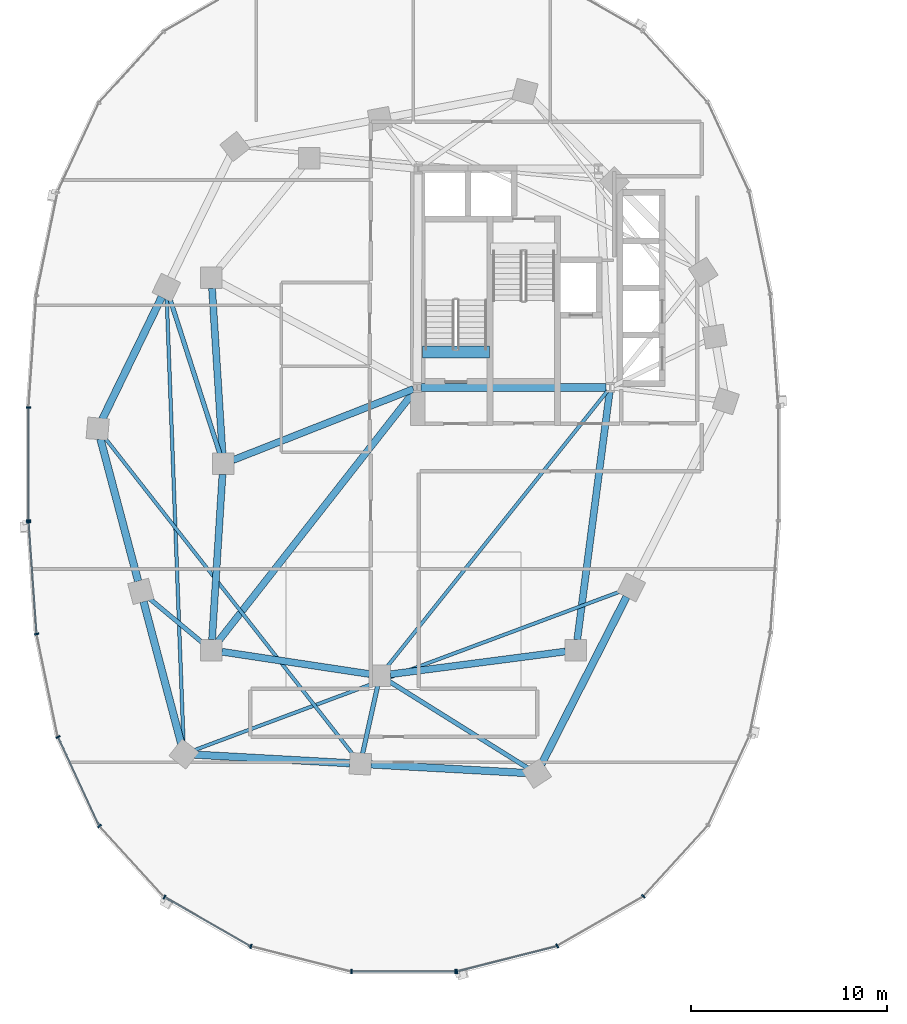
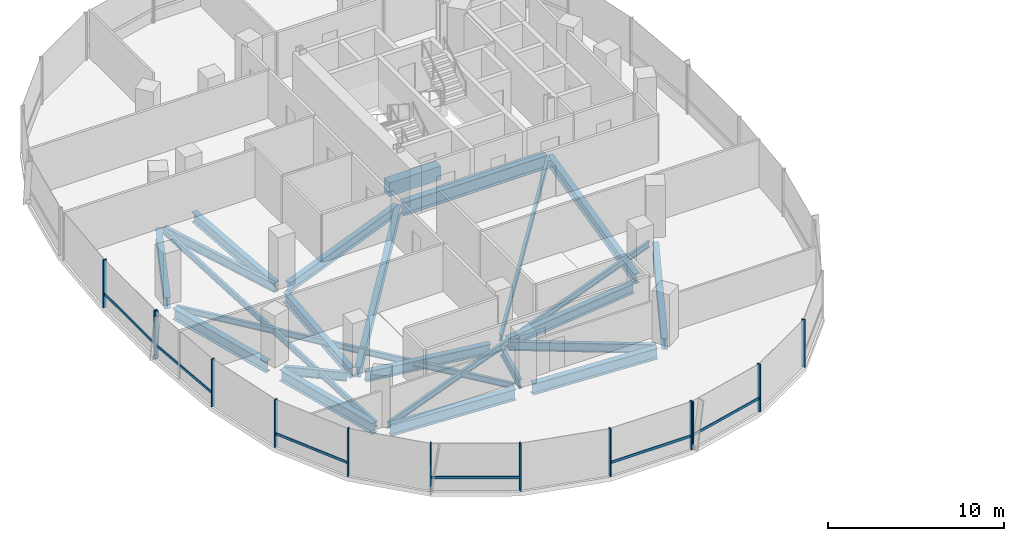
# One storey, part 2 of 21: 23 beams, 19 members, 3 elements without a shape of their own.
"""IFC4 building model written with IfcOpenShell, lengths in metres."""

from ifc_helpers import new_model, si_unit, direction, frame, origin, origin_2d, place, context, subcontext, project, spatial, rectangle, i_section, extrude, material, material_profile, profile_set, type_object, element, aggregate, save


model = new_model("IFC4")

# Units and contexts
model_context = context("Model", 3, precision=1e-05, world=origin(), true_north=direction((0.0, 1.0)))
body_context = subcontext(model_context, "Body", "Model", "MODEL_VIEW")
ifc_project = project(units=[si_unit("LENGTHUNIT", "METRE"), si_unit("AREAUNIT", "SQUARE_METRE"), si_unit("VOLUMEUNIT", "CUBIC_METRE"), si_unit("PLANEANGLEUNIT", "RADIAN"), si_unit("MASSUNIT", "GRAM", prefix="KILO"), si_unit("THERMODYNAMICTEMPERATUREUNIT", "KELVIN"), si_unit("POWERUNIT", "WATT")], contexts=[model_context])

# Site, building, storey
site_placement = place(None, origin())
site = spatial("IfcSite", under=ifc_project, at=site_placement, CompositionType="ELEMENT")
building_placement = place(site_placement, origin())
building = spatial("IfcBuilding", under=site, at=building_placement, Name="Cundina Bronze Exchange", CompositionType="ELEMENT")
storey_placement = place(building_placement, frame((0.0, 0.0, 114.199951171875)))
storey = spatial("IfcBuildingStorey", under=building, at=storey_placement, Name="L29", CompositionType="ELEMENT", Elevation=114.199951171875)

# Beams
ifc_material_1 = material(Name="Concrete C60/75", Category="concrete")
ifc_material_profile_1 = material_profile(ifc_material_1, rectangle(XDim=0.60009765625, YDim=0.949951171875, at=origin_2d()), Name="RC600X950", Category="concrete")
ifc_profile_set_1 = profile_set([ifc_material_profile_1], Name="Concrete C60/75")
beam_type_1 = type_object("IfcBeamType", Name="BM-COUP-RC950", PredefinedType="LINTEL", material=ifc_profile_set_1)
beam_1_placement = place(storey_placement, frame((-31.02001953125, 5.719970703125, -0.474853515625), z_axis=(1.0, 0.0, 0.0), x_axis=(0.0, 1.0, 0.0)))
element("IfcBeam", 1, at=beam_1_placement, inside=storey, type_object=beam_type_1, Name="L29 Stair W1 Landing Header Beam", PredefinedType="LINTEL", context=body_context, shape_type="SweptSolid", body=[
    extrude(rectangle(XDim=0.60009765625, YDim=0.949951171875, at=origin_2d()), origin(), (0.0, 0.0, 1.0), 3.39990234375),
])
ifc_material_2 = material(Name="Steel ASTM A992 Grade 50", Category="steel")
ifc_material_profile_2 = material_profile(ifc_material_2, i_section(OverallWidth=0.22998046875, OverallDepth=0.616943359375, WebThickness=0.01318359375, FlangeThickness=0.022216796875, FilletRadius=0.013916015625, at=origin_2d()), Name="W24X94", Category="steel")
ifc_profile_set_2 = profile_set([ifc_material_profile_2], Name="Steel ASTM A992 Grade 50")
beam_type_2 = type_object("IfcBeamType", Name="BM-FLR-W24B", PredefinedType="BEAM", material=ifc_profile_set_2)
beam_2_placement = place(storey_placement, frame((-41.364990234375, 0.51220703125, -0.6083984375), z_axis=(-0.306710777581, 0.951802762612, 0.0), x_axis=(-0.951802762612, -0.306710777581, 0.0)))
element("IfcBeam", 2, at=beam_2_placement, inside=storey, type_object=beam_type_2, Name="L29 Leg W Radial Floor Beam 07", PredefinedType="BEAM", context=body_context, shape_type="SweptSolid", body=[
    extrude(i_section(OverallWidth=0.22998046875, OverallDepth=0.616943359375, WebThickness=0.01318359375, FlangeThickness=0.022216796875, FilletRadius=0.013916015625, at=origin_2d()), origin(), (0.0, 0.0, 1.0), 8.37939453125),
])
beam_3_placement = place(storey_placement, frame((-42.21337890625, -9.155517578125, -0.6083984375), z_axis=(-0.768243451945, 0.640157791911, 0.0), x_axis=(-0.640157791911, -0.768243451945, 0.0)))
element("IfcBeam", 3, at=beam_3_placement, inside=storey, type_object=beam_type_2, Name="L29 Leg W Radial Floor Beam 09", PredefinedType="BEAM", context=body_context, shape_type="SweptSolid", body=[
    extrude(i_section(OverallWidth=0.22998046875, OverallDepth=0.616943359375, WebThickness=0.01318359375, FlangeThickness=0.022216796875, FilletRadius=0.013916015625, at=origin_2d()), origin(), (0.0, 0.0, 1.0), 3.610107421875),
])
beam_4_placement = place(storey_placement, frame((-33.316650390625, -11.3251953125, -0.6083984375), z_axis=(-0.216930457819, -0.976187060184, 0.0), x_axis=(0.976187060184, -0.216930457819, 0.0)))
element("IfcBeam", 4, at=beam_4_placement, inside=storey, type_object=beam_type_2, Name="L29 Leg W Radial Floor Beam 11", PredefinedType="BEAM", context=body_context, shape_type="SweptSolid", body=[
    extrude(i_section(OverallWidth=0.22998046875, OverallDepth=0.616943359375, WebThickness=0.01318359375, FlangeThickness=0.022216796875, FilletRadius=0.013916015625, at=origin_2d()), origin(), (0.0, 0.0, 1.0), 3.533935546875),
])
beam_5_placement = place(storey_placement, frame((-32.743896484375, -11.085205078125, -0.6083984375), z_axis=(0.848003227047, -0.529991063055, 0.0), x_axis=(0.529991063055, 0.848003227047, 0.0)))
element("IfcBeam", 5, at=beam_5_placement, inside=storey, type_object=beam_type_2, Name="L29 Leg W Radial Floor Beam 12", PredefinedType="BEAM", context=body_context, shape_type="SweptSolid", body=[
    extrude(i_section(OverallWidth=0.22998046875, OverallDepth=0.616943359375, WebThickness=0.01318359375, FlangeThickness=0.022216796875, FilletRadius=0.013916015625, at=origin_2d()), origin(), (0.0, 0.0, 1.0), 8.358154296875),
])
ifc_material_profile_3 = material_profile(ifc_material_2, i_section(OverallWidth=0.178955078125, OverallDepth=0.409912109375, WebThickness=0.0087890625, FlangeThickness=0.014404296875, FilletRadius=0.010986328125, at=origin_2d()), Name="W16X45", Category="steel")
ifc_profile_set_3 = profile_set([ifc_material_profile_3], Name="Steel ASTM A992 Grade 50")
beam_type_3 = type_object("IfcBeamType", Name="BM-JST-W16", PredefinedType="JOIST", material=ifc_profile_set_3)
beam_6_placement = place(storey_placement, frame((-21.577392578125, 3.740478515625, -0.5048828125), z_axis=(-0.62436887964, -0.781129632095, 0.0), x_axis=(0.781129632095, -0.62436887964, 0.0)))
element("IfcBeam", 6, at=beam_6_placement, inside=storey, type_object=beam_type_3, Name="L29 W Interior Core-to-Ring Joist 2", PredefinedType="JOIST", context=body_context, shape_type="SweptSolid", body=[
    extrude(i_section(OverallWidth=0.178955078125, OverallDepth=0.409912109375, WebThickness=0.0087890625, FlangeThickness=0.014404296875, FilletRadius=0.010986328125, at=origin_2d()), origin(), (0.0, 0.0, 1.0), 18.076904296875),
])
beam_7_placement = place(storey_placement, frame((-44.07958984375, 8.46240234375, -0.5048828125), z_axis=(0.03778951385, -0.999285721224, 0.0), x_axis=(0.999285721224, 0.03778951385, 0.0)))
element("IfcBeam", 7, at=beam_7_placement, inside=storey, type_object=beam_type_3, Name="L29 Leg W Lobe Floor Joist 07-10", PredefinedType="JOIST", context=body_context, shape_type="SweptSolid", body=[
    extrude(i_section(OverallWidth=0.178955078125, OverallDepth=0.409912109375, WebThickness=0.0087890625, FlangeThickness=0.014404296875, FilletRadius=0.010986328125, at=origin_2d()), origin(), (0.0, 0.0, 1.0), 22.7412109375),
])
beam_8_placement = place(storey_placement, frame((-47.268310546875, 1.37646484375, -0.5048828125), z_axis=(0.616815348306, -0.787107887201, 0.0), x_axis=(0.787107887201, 0.616815348306, 0.0)))
element("IfcBeam", 8, at=beam_8_placement, inside=storey, type_object=beam_type_3, Name="L29 Leg W Lobe Floor Joist 08-11", PredefinedType="JOIST", context=body_context, shape_type="SweptSolid", body=[
    extrude(i_section(OverallWidth=0.178955078125, OverallDepth=0.409912109375, WebThickness=0.0087890625, FlangeThickness=0.014404296875, FilletRadius=0.010986328125, at=origin_2d()), origin(), (0.0, 0.0, 1.0), 20.64892578125),
])
beam_9_placement = place(storey_placement, frame((-42.69580078125, -14.6123046875, -0.5048828125), z_axis=(0.937127917421, 0.348986054721, 0.0), x_axis=(-0.348986054721, 0.937127917421, 0.0)))
element("IfcBeam", 9, at=beam_9_placement, inside=storey, type_object=beam_type_3, Name="L29 Leg W Lobe Floor Joist 10-13", PredefinedType="JOIST", context=body_context, shape_type="SweptSolid", body=[
    extrude(i_section(OverallWidth=0.178955078125, OverallDepth=0.409912109375, WebThickness=0.0087890625, FlangeThickness=0.014404296875, FilletRadius=0.010986328125, at=origin_2d()), origin(), (0.0, 0.0, 1.0), 23.2802734375),
])
ifc_material_profile_4 = material_profile(ifc_material_2, i_section(OverallWidth=0.35498046875, OverallDepth=0.695068359375, WebThickness=0.015380859375, FlangeThickness=0.02490234375, FilletRadius=0.01806640625, at=origin_2d()), Name="W27X146", Category="steel")
ifc_profile_set_4 = profile_set([ifc_material_profile_4], Name="Steel ASTM A992 Grade 50")
beam_type_4 = type_object("IfcBeamType", Name="BM-RING-W27", PredefinedType="USERDEFINED", material=ifc_profile_set_4)
for number, where, z_axis, x_axis, name in (
    (10, (-41.76611328125, 8.963134765625, -0.6474609375), (0.06303715519, -0.998011180832, 0.0), (0.998011180832, 0.06303715519, 0.0), "L29 W Inner Structural Ring Girder 03"),
    (11, (-41.23388671875, -0.536865234375, -0.6474609375), (-0.06303715519, -0.998011180832, 0.0), (0.998011180832, -0.06303715519, 0.0), "L29 W Inner Structural Ring Girder 04"),
):
    element("IfcBeam", number, at=place(storey_placement, frame(where, z_axis=z_axis, x_axis=x_axis)), inside=storey, type_object=beam_type_4, Name=name, ObjectType="GIRDER", PredefinedType="USERDEFINED", context=body_context, shape_type="SweptSolid", body=[
        extrude(i_section(OverallWidth=0.35498046875, OverallDepth=0.695068359375, WebThickness=0.015380859375, FlangeThickness=0.02490234375, FilletRadius=0.01806640625, at=origin_2d()), origin(), (0.0, 0.0, 1.0), 8.443115234375),
    ])
beam_10_placement = place(storey_placement, frame((-41.26806640625, -9.580322265625, -0.6474609375), z_axis=(0.988767489563, -0.149461873341, 0.0), x_axis=(0.149461873341, 0.988767489563, 0.0)))
element("IfcBeam", 12, at=beam_10_placement, inside=storey, type_object=beam_type_4, Name="L29 W Inner Structural Ring Girder 05", ObjectType="GIRDER", PredefinedType="USERDEFINED", context=body_context, shape_type="SweptSolid", body=[
    extrude(i_section(OverallWidth=0.35498046875, OverallDepth=0.695068359375, WebThickness=0.015380859375, FlangeThickness=0.02490234375, FilletRadius=0.01806640625, at=origin_2d()), origin(), (0.0, 0.0, 1.0), 7.621826171875),
])
beam_11_placement = place(storey_placement, frame((-32.66650390625, -10.730712890625, -0.6474609375), z_axis=(0.991654577907, 0.128923225666, 0.0), x_axis=(-0.128923225666, 0.991654577907, 0.0)))
element("IfcBeam", 13, at=beam_11_placement, inside=storey, type_object=beam_type_4, Name="L29 W Inner Structural Ring Girder 06", ObjectType="GIRDER", PredefinedType="USERDEFINED", context=body_context, shape_type="SweptSolid", body=[
    extrude(i_section(OverallWidth=0.35498046875, OverallDepth=0.695068359375, WebThickness=0.015380859375, FlangeThickness=0.02490234375, FilletRadius=0.01806640625, at=origin_2d()), origin(), (0.0, 0.0, 1.0), 9.00830078125),
])
beam_12_placement = place(storey_placement, frame((-23.13037109375, -8.966552734375, -0.6474609375), z_axis=(0.129507526533, 0.99157843894, 0.0), x_axis=(-0.99157843894, 0.129507526533, 0.0)))
element("IfcBeam", 14, at=beam_12_placement, inside=storey, type_object=beam_type_4, Name="L29 W Inner Structural Ring Girder 07", ObjectType="GIRDER", PredefinedType="USERDEFINED", context=body_context, shape_type="SweptSolid", body=[
    extrude(i_section(OverallWidth=0.35498046875, OverallDepth=0.695068359375, WebThickness=0.015380859375, FlangeThickness=0.02490234375, FilletRadius=0.01806640625, at=origin_2d()), origin(), (0.0, 0.0, 1.0), 12.77197265625),
])
beam_13_placement = place(storey_placement, frame((-31.48974609375, 3.8251953125, -0.6474609375), z_axis=(-0.930413235418, -0.366512225388, 0.0), x_axis=(0.366512225388, -0.930413235418, 0.0)))
element("IfcBeam", 15, at=beam_13_placement, inside=storey, type_object=beam_type_4, Name="L29 W Core-to-Waist Tie Beam 1", ObjectType="GIRDER", PredefinedType="USERDEFINED", context=body_context, shape_type="SweptSolid", body=[
    extrude(i_section(OverallWidth=0.35498046875, OverallDepth=0.695068359375, WebThickness=0.015380859375, FlangeThickness=0.02490234375, FilletRadius=0.01806640625, at=origin_2d()), origin(), (0.0, 0.0, 1.0), 9.8984375),
])
beam_14_placement = place(storey_placement, frame((-31.42578125, 3.739501953125, -0.6474609375), z_axis=(-0.616789275748, -0.787128318206, 0.0), x_axis=(0.787128318206, -0.616789275748, 0.0)))
element("IfcBeam", 16, at=beam_14_placement, inside=storey, type_object=beam_type_4, Name="L29 W Core-to-Waist Tie Beam 3", ObjectType="GIRDER", PredefinedType="USERDEFINED", context=body_context, shape_type="SweptSolid", body=[
    extrude(i_section(OverallWidth=0.35498046875, OverallDepth=0.695068359375, WebThickness=0.015380859375, FlangeThickness=0.02490234375, FilletRadius=0.01806640625, at=origin_2d()), origin(), (0.0, 0.0, 1.0), 16.281982421875),
])
ifc_material_profile_5 = material_profile(ifc_material_2, i_section(OverallWidth=0.381103515625, OverallDepth=0.77294921875, WebThickness=0.0166015625, FlangeThickness=0.027099609375, FilletRadius=0.01904296875, at=origin_2d()), Name="W30X173", Category="steel")
ifc_profile_set_5 = profile_set([ifc_material_profile_5], Name="Steel ASTM A992 Grade 50")
beam_type_5 = type_object("IfcBeamType", Name="BM-RING-W30", PredefinedType="USERDEFINED", material=ifc_profile_set_5)
beam_15_placement = place(storey_placement, frame((-44.335205078125, 8.51611328125, -0.6865234375), z_axis=(-0.437193894283, -0.899367276924, 0.0), x_axis=(0.899367276924, -0.437193894283, 0.0)))
element("IfcBeam", 17, at=beam_15_placement, inside=storey, type_object=beam_type_5, Name="L29 W Perimeter Ring Girder 07", ObjectType="GIRDER", PredefinedType="USERDEFINED", context=body_context, shape_type="SweptSolid", body=[
    extrude(i_section(OverallWidth=0.381103515625, OverallDepth=0.77294921875, WebThickness=0.0166015625, FlangeThickness=0.027099609375, FilletRadius=0.01904296875, at=origin_2d()), origin(), (0.0, 0.0, 1.0), 6.929443359375),
])
for number, where, z_axis, x_axis, name in (
    (18, (-47.462158203125, 1.280029296875, -0.6865234375), (0.256209719931, -0.966621218168, 0.0), (0.966621218168, 0.256209719931, 0.0), "L29 W Perimeter Ring Girder 08"),
    (19, (-45.26220703125, -7.02001953125, -0.6865234375), (0.256209719931, -0.966621218168, 0.0), (0.966621218168, 0.256209719931, 0.0), "L29 W Perimeter Ring Girder 09"),
):
    element("IfcBeam", number, at=place(storey_placement, frame(where, z_axis=z_axis, x_axis=x_axis)), inside=storey, type_object=beam_type_5, Name=name, ObjectType="GIRDER", PredefinedType="USERDEFINED", context=body_context, shape_type="SweptSolid", body=[
        extrude(i_section(OverallWidth=0.381103515625, OverallDepth=0.77294921875, WebThickness=0.0166015625, FlangeThickness=0.027099609375, FilletRadius=0.01904296875, at=origin_2d()), origin(), (0.0, 0.0, 1.0), 7.5107421875),
    ])
for number, where, z_axis, x_axis, name in (
    (20, (-42.662841796875, -14.829833984375, -0.6865234375), (0.99845950136, -0.055485350721, 0.0), (0.055485350721, 0.99845950136, 0.0), "L29 W Perimeter Ring Girder 10"),
    (21, (-33.662841796875, -15.329833984375, -0.6865234375), (0.99845950136, -0.055485350721, 0.0), (0.055485350721, 0.99845950136, 0.0), "L29 W Perimeter Ring Girder 11"),
):
    element("IfcBeam", number, at=place(storey_placement, frame(where, z_axis=z_axis, x_axis=x_axis)), inside=storey, type_object=beam_type_5, Name=name, ObjectType="GIRDER", PredefinedType="USERDEFINED", context=body_context, shape_type="SweptSolid", body=[
        extrude(i_section(OverallWidth=0.381103515625, OverallDepth=0.77294921875, WebThickness=0.0166015625, FlangeThickness=0.027099609375, FilletRadius=0.01904296875, at=origin_2d()), origin(), (0.0, 0.0, 1.0), 7.937744140625),
    ])
beam_16_placement = place(storey_placement, frame((-24.956298828125, -15.3203125, -0.6865234375), z_axis=(0.452832332744, 0.891595692241, 0.0), x_axis=(-0.891595692241, 0.452832332744, 0.0)))
element("IfcBeam", 22, at=beam_16_placement, inside=storey, type_object=beam_type_5, Name="L29 W Perimeter Ring Girder 12", ObjectType="GIRDER", PredefinedType="USERDEFINED", context=body_context, shape_type="SweptSolid", body=[
    extrude(i_section(OverallWidth=0.381103515625, OverallDepth=0.77294921875, WebThickness=0.0166015625, FlangeThickness=0.027099609375, FilletRadius=0.01904296875, at=origin_2d()), origin(), (0.0, 0.0, 1.0), 9.578857421875),
])
ifc_material_profile_6 = material_profile(ifc_material_2, i_section(OverallWidth=0.41796875, OverallDepth=0.927001953125, WebThickness=0.019287109375, FlangeThickness=0.031982421875, FilletRadius=0.02392578125, at=origin_2d()), Name="W36X231", Category="steel")
ifc_profile_set_6 = profile_set([ifc_material_profile_6], Name="Steel ASTM A992 Grade 50")
beam_type_6 = type_object("IfcBeamType", Name="BM-WRN-W36B", PredefinedType="USERDEFINED", material=ifc_profile_set_6)
beam_17_placement = place(storey_placement, frame((-31.095947265625, 3.89990234375, -0.763427734375), z_axis=(1.0, 0.0, 0.0), x_axis=(0.0, 1.0, 0.0)))
element("IfcBeam", 23, at=beam_17_placement, inside=storey, type_object=beam_type_6, Name="L29 W Core Perimeter Tie Girder 1", ObjectType="GIRDER", PredefinedType="USERDEFINED", context=body_context, shape_type="SweptSolid", body=[
    extrude(i_section(OverallWidth=0.41796875, OverallDepth=0.927001953125, WebThickness=0.019287109375, FlangeThickness=0.031982421875, FilletRadius=0.02392578125, at=origin_2d()), origin(), (0.0, 0.0, 1.0), 9.44189453125),
])

# Curtain wall, members
ifc_material_3 = material(Name="Anodised Bronze Aluminium 6063-T6", Category="aluminium")
curtain_wall_type = type_object("IfcCurtainWallType", Name="CWS-TRD-MID", PredefinedType="NOTDEFINED", material=ifc_material_3)
curtain_wall_1_placement = place(storey_placement, origin())
curtain_wall_1 = element("IfcCurtainWall", 24, at=curtain_wall_1_placement, inside=storey, type_object=curtain_wall_type, Name="L29 CW-03 Curtain Wall Run CWR-L29-W2", PredefinedType="NOTDEFINED")
ifc_material_profile_7 = material_profile(ifc_material_3, rectangle(XDim=0.074951171875, YDim=0.219970703125, at=origin_2d()), Name="AL75X220", Category="aluminium")
ifc_profile_set_7 = profile_set([ifc_material_profile_7], Name="Anodised Bronze Aluminium 6063-T6")
member_type_1 = type_object("IfcMemberType", Name="CWM-MUL-220", PredefinedType="MULLION", material=ifc_profile_set_7)
member_1_placement = place(storey_placement, frame((-51.1279296875, 2.880615234375, 0.0), z_axis=(0.0, 0.0, 1.0), x_axis=(0.0, -1.0, 0.0)))
member_1 = element("IfcMember", 25, at=member_1_placement, type_object=member_type_1, Name="CW-03 Mullion 7", PredefinedType="MULLION", context=body_context, shape_type="SweptSolid", body=[
    extrude(rectangle(XDim=0.074951171875, YDim=0.219970703125, at=origin_2d()), origin(), (0.0, 0.0, 1.0), 3.300048828125),
])
member_2_placement = place(storey_placement, frame((-51.1279296875, -2.880615234375, 0.0), z_axis=(0.0, 0.0, 1.0), x_axis=(0.0, -1.0, 0.0)))
member_2 = element("IfcMember", 26, at=member_2_placement, type_object=member_type_1, Name="CW-03 End Mullion", PredefinedType="MULLION", context=body_context, shape_type="SweptSolid", body=[
    extrude(rectangle(XDim=0.074951171875, YDim=0.219970703125, at=origin_2d()), origin(), (0.0, 0.0, 1.0), 3.300048828125),
])

curtain_wall_2_placement = place(storey_placement, origin())
curtain_wall_2 = element("IfcCurtainWall", 27, at=curtain_wall_2_placement, inside=storey, type_object=curtain_wall_type, Name="L29 CW-03 Curtain Wall Run CWR-L29-W3", PredefinedType="NOTDEFINED")
member_3_placement = place(storey_placement, frame((-51.12451171875, -2.976318359375, 0.0), z_axis=(0.0, 0.0, 1.0), x_axis=(0.070278787473, -0.997527389113, 0.0)))
member_3 = element("IfcMember", 28, at=member_3_placement, type_object=member_type_1, Name="CW-03 Mullion 1", PredefinedType="MULLION", context=body_context, shape_type="SweptSolid", body=[
    extrude(rectangle(XDim=0.074951171875, YDim=0.219970703125, at=origin_2d()), origin(), (0.0, 0.0, 1.0), 3.300048828125),
])
member_4_placement = place(storey_placement, frame((-50.717041015625, -8.67822265625, 0.0), z_axis=(0.0, 0.0, 1.0), x_axis=(0.201419845156, -0.979505000486, 0.0)))
member_4 = element("IfcMember", 29, at=member_4_placement, type_object=member_type_1, Name="CW-03 Mullion 2", PredefinedType="MULLION", context=body_context, shape_type="SweptSolid", body=[
    extrude(rectangle(XDim=0.074951171875, YDim=0.219970703125, at=origin_2d()), origin(), (0.0, 0.0, 1.0), 3.300048828125),
])
member_5_placement = place(storey_placement, frame((-49.6279296875, -13.931884765625, 0.0), z_axis=(0.0, 0.0, 1.0), x_axis=(0.42087749791, -0.907117485088, 0.0)))
member_5 = element("IfcMember", 30, at=member_5_placement, type_object=member_type_1, Name="CW-03 Mullion 3", PredefinedType="MULLION", context=body_context, shape_type="SweptSolid", body=[
    extrude(rectangle(XDim=0.074951171875, YDim=0.219970703125, at=origin_2d()), origin(), (0.0, 0.0, 1.0), 3.300048828125),
])
member_6_placement = place(storey_placement, frame((-47.508544921875, -18.47705078125, 0.0), z_axis=(0.0, 0.0, 1.0), x_axis=(0.674302387584, -0.738455340626, 0.0)))
member_6 = element("IfcMember", 31, at=member_6_placement, type_object=member_type_1, Name="CW-03 Mullion 4", PredefinedType="MULLION", context=body_context, shape_type="SweptSolid", body=[
    extrude(rectangle(XDim=0.074951171875, YDim=0.219970703125, at=origin_2d()), origin(), (0.0, 0.0, 1.0), 3.300048828125),
])
member_7_placement = place(storey_placement, frame((-44.189697265625, -22.097412109375, 0.0), z_axis=(0.0, 0.0, 1.0), x_axis=(0.867070701164, -0.498185105339, 0.0)))
member_7 = element("IfcMember", 32, at=member_7_placement, type_object=member_type_1, Name="CW-03 Mullion 5", PredefinedType="MULLION", context=body_context, shape_type="SweptSolid", body=[
    extrude(rectangle(XDim=0.074951171875, YDim=0.219970703125, at=origin_2d()), origin(), (0.0, 0.0, 1.0), 3.300048828125),
])
member_8_placement = place(storey_placement, frame((-39.78515625, -24.61669921875, 0.0), z_axis=(0.0, 0.0, 1.0), x_axis=(0.969488149345, -0.245138182011, 0.0)))
member_8 = element("IfcMember", 33, at=member_8_placement, type_object=member_type_1, Name="CW-03 Mullion 6", PredefinedType="MULLION", context=body_context, shape_type="SweptSolid", body=[
    extrude(rectangle(XDim=0.074951171875, YDim=0.219970703125, at=origin_2d()), origin(), (0.0, 0.0, 1.0), 3.300048828125),
])
member_9_placement = place(storey_placement, frame((-34.654541015625, -25.905029296875, 0.0), z_axis=(0.0, 0.0, 1.0), x_axis=(1.0, 0.0, 0.0)))
member_9 = element("IfcMember", 34, at=member_9_placement, type_object=member_type_1, Name="CW-03 Mullion 7", PredefinedType="MULLION", context=body_context, shape_type="SweptSolid", body=[
    extrude(rectangle(XDim=0.074951171875, YDim=0.219970703125, at=origin_2d()), origin(), (0.0, 0.0, 1.0), 3.300048828125),
])
member_10_placement = place(storey_placement, frame((-29.345458984375, -25.905029296875, 0.0), z_axis=(0.0, 0.0, 1.0), x_axis=(1.0, 0.0, 0.0)))
member_10 = element("IfcMember", 35, at=member_10_placement, type_object=member_type_1, Name="CW-03 End Mullion", PredefinedType="MULLION", context=body_context, shape_type="SweptSolid", body=[
    extrude(rectangle(XDim=0.074951171875, YDim=0.219970703125, at=origin_2d()), origin(), (0.0, 0.0, 1.0), 3.300048828125),
])

curtain_wall_3_placement = place(storey_placement, origin())
curtain_wall_3 = element("IfcCurtainWall", 36, at=curtain_wall_3_placement, inside=storey, type_object=curtain_wall_type, Name="L29 CW-03 Curtain Wall Run CWR-L29-W4", PredefinedType="NOTDEFINED")
member_11_placement = place(storey_placement, frame((-29.27392578125, -25.89599609375, 0.0), z_axis=(0.0, 0.0, 1.0), x_axis=(0.969488149345, 0.245138182011, 0.0)))
member_11 = element("IfcMember", 37, at=member_11_placement, type_object=member_type_1, Name="CW-03 Mullion 1", PredefinedType="MULLION", context=body_context, shape_type="SweptSolid", body=[
    extrude(rectangle(XDim=0.074951171875, YDim=0.219970703125, at=origin_2d()), origin(), (0.0, 0.0, 1.0), 3.300048828125),
])
member_12_placement = place(storey_placement, frame((-24.151123046875, -24.591064453125, 0.0), z_axis=(0.0, 0.0, 1.0), x_axis=(0.867070701164, 0.498185105339, 0.0)))
member_12 = element("IfcMember", 38, at=member_12_placement, type_object=member_type_1, Name="CW-03 Mullion 2", PredefinedType="MULLION", context=body_context, shape_type="SweptSolid", body=[
    extrude(rectangle(XDim=0.074951171875, YDim=0.219970703125, at=origin_2d()), origin(), (0.0, 0.0, 1.0), 3.300048828125),
])
member_13_placement = place(storey_placement, frame((-19.760498046875, -22.0576171875, 0.0), z_axis=(0.0, 0.0, 1.0), x_axis=(0.674302387584, 0.738455340626, 0.0)))
member_13 = element("IfcMember", 39, at=member_13_placement, type_object=member_type_1, Name="CW-03 Mullion 3", PredefinedType="MULLION", context=body_context, shape_type="SweptSolid", body=[
    extrude(rectangle(XDim=0.074951171875, YDim=0.219970703125, at=origin_2d()), origin(), (0.0, 0.0, 1.0), 3.300048828125),
])

# Member
ifc_material_profile_8 = material_profile(ifc_material_3, rectangle(XDim=0.070068359375, YDim=0.179931640625, at=origin_2d()), Name="AL70X180", Category="aluminium")
ifc_profile_set_8 = profile_set([ifc_material_profile_8], Name="Anodised Bronze Aluminium 6063-T6")
member_type_2 = type_object("IfcMemberType", Name="CWM-TRN-180", PredefinedType="USERDEFINED", material=ifc_profile_set_8)
member_14_placement = place(storey_placement, frame((-51.1279296875, 2.839111328125, 0.920166015625), z_axis=(0.0, -1.0, 0.0), x_axis=(1.0, 0.0, 0.0)))
member_14 = element("IfcMember", 40, at=member_14_placement, type_object=member_type_2, Name="CW-03 Spandrel Transom 7", ObjectType="TRANSOM", PredefinedType="USERDEFINED", context=body_context, shape_type="SweptSolid", body=[
    extrude(rectangle(XDim=0.070068359375, YDim=0.179931640625, at=origin_2d()), origin(), (0.0, 0.0, 1.0), 5.67822265625),
])

aggregate(curtain_wall_1, [member_1, member_2, member_14])

member_15_placement = place(storey_placement, frame((-51.12158203125, -3.017333984375, 0.920166015625), z_axis=(0.070260714471, -0.997528662246, 0.0), x_axis=(0.997528662246, 0.070260714471, 0.0)))
member_15 = element("IfcMember", 41, at=member_15_placement, type_object=member_type_2, Name="CW-03 Spandrel Transom 1", ObjectType="TRANSOM", PredefinedType="USERDEFINED", context=body_context, shape_type="SweptSolid", body=[
    extrude(rectangle(XDim=0.070068359375, YDim=0.179931640625, at=origin_2d()), origin(), (0.0, 0.0, 1.0), 5.629150390625),
])

member_16_placement = place(storey_placement, frame((-49.610595703125, -13.96923828125, 0.920166015625), z_axis=(0.420811422796, -0.907148139195, 0.0), x_axis=(0.907148139195, 0.420811422796, 0.0)))
member_16 = element("IfcMember", 42, at=member_16_placement, type_object=member_type_2, Name="CW-03 Spandrel Transom 3", ObjectType="TRANSOM", PredefinedType="USERDEFINED", context=body_context, shape_type="SweptSolid", body=[
    extrude(rectangle(XDim=0.070068359375, YDim=0.179931640625, at=origin_2d()), origin(), (0.0, 0.0, 1.0), 4.95166015625),
])

member_17_placement = place(storey_placement, frame((-44.154052734375, -22.117919921875, 0.920166015625), z_axis=(0.867097475651, -0.498138502546, 0.0), x_axis=(0.498138502546, 0.867097475651, 0.0)))
member_17 = element("IfcMember", 43, at=member_17_placement, type_object=member_type_2, Name="CW-03 Spandrel Transom 5", ObjectType="TRANSOM", PredefinedType="USERDEFINED", context=body_context, shape_type="SweptSolid", body=[
    extrude(rectangle(XDim=0.070068359375, YDim=0.179931640625, at=origin_2d()), origin(), (0.0, 0.0, 1.0), 5.00634765625),
])

member_18_placement = place(storey_placement, frame((-34.61328125, -25.905029296875, 0.920166015625), z_axis=(1.0, 0.0, 0.0), x_axis=(0.0, 1.0, 0.0)))
member_18 = element("IfcMember", 44, at=member_18_placement, type_object=member_type_2, Name="CW-03 Spandrel Transom 7", ObjectType="TRANSOM", PredefinedType="USERDEFINED", context=body_context, shape_type="SweptSolid", body=[
    extrude(rectangle(XDim=0.070068359375, YDim=0.179931640625, at=origin_2d()), origin(), (0.0, 0.0, 1.0), 5.2265625),
])

aggregate(curtain_wall_2, [member_3, member_15, member_4, member_5, member_16, member_6, member_7, member_17, member_8, member_9, member_10, member_18])

member_19_placement = place(storey_placement, frame((-29.23388671875, -25.885986328125, 0.920166015625), z_axis=(0.969483968866, 0.245154714644, 0.0), x_axis=(-0.245154714644, 0.969483968866, 0.0)))
member_19 = element("IfcMember", 45, at=member_19_placement, type_object=member_type_2, Name="CW-03 Spandrel Transom 1", ObjectType="TRANSOM", PredefinedType="USERDEFINED", context=body_context, shape_type="SweptSolid", body=[
    extrude(rectangle(XDim=0.070068359375, YDim=0.179931640625, at=origin_2d()), origin(), (0.0, 0.0, 1.0), 5.21826171875),
])

aggregate(curtain_wall_3, [member_11, member_19, member_12, member_13])

save(model, "model.ifc")
